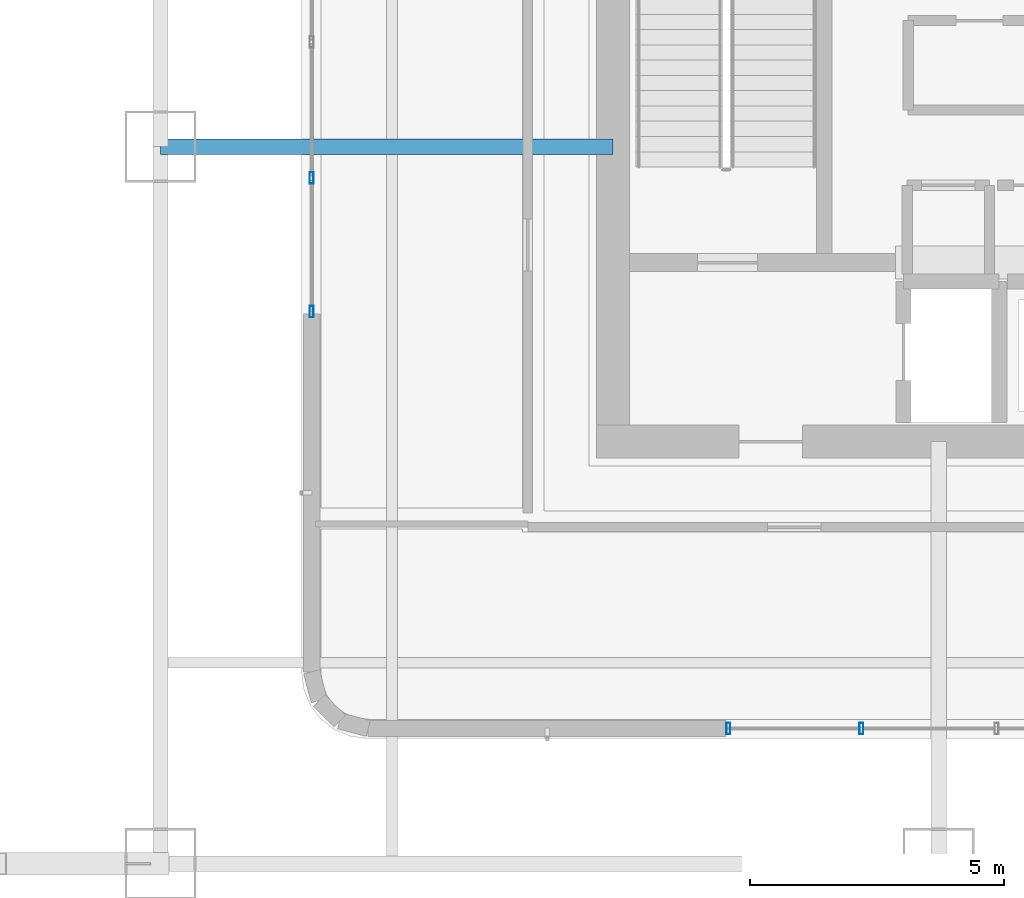
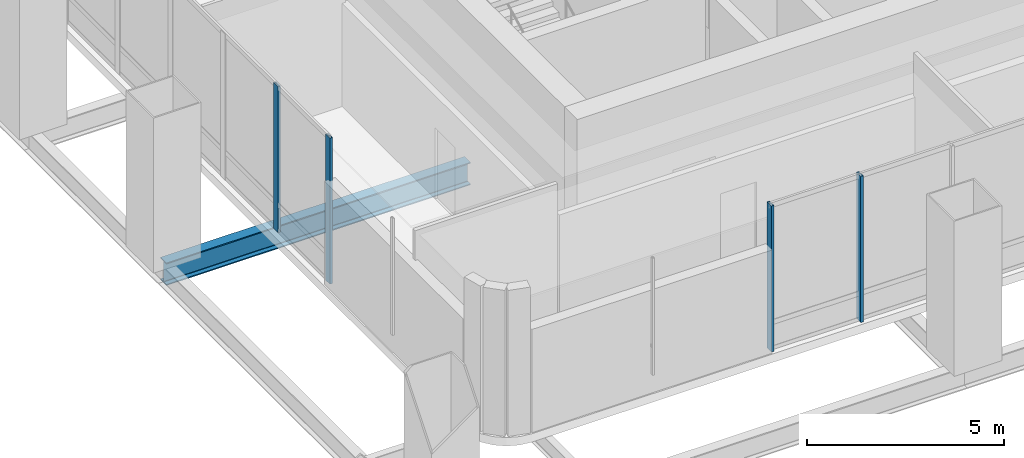
# One storey, part 2 of 30: 4 members, 1 beam, 2 elements without a shape of their own.
"""IFC4 building model written with IfcOpenShell, lengths in metres."""

from ifc_helpers import new_model, si_unit, direction, frame, origin, origin_2d, place, context, subcontext, project, spatial, hollow_rectangle, i_section, extrude, material, material_profile, profile_set, type_object, element, aggregate, save


model = new_model("IFC4")

# Units and contexts
model_context = context("Model", 3, precision=1e-05, world=origin(), true_north=direction((0.0, 1.0)))
body_context = subcontext(model_context, "Body", "Model", "MODEL_VIEW")
ifc_project = project(units=[si_unit("LENGTHUNIT", "METRE"), si_unit("AREAUNIT", "SQUARE_METRE"), si_unit("VOLUMEUNIT", "CUBIC_METRE"), si_unit("PLANEANGLEUNIT", "RADIAN"), si_unit("MASSUNIT", "GRAM", prefix="KILO")], contexts=[model_context])

# Site, building, storey
site_placement = place(None, origin())
site = spatial("IfcSite", under=ifc_project, at=site_placement, CompositionType="ELEMENT")
building_placement = place(site_placement, origin())
building = spatial("IfcBuilding", under=site, at=building_placement, Name="Punatoya Terracotta Tower", CompositionType="ELEMENT")
storey_placement = place(building_placement, frame((0.0, 0.0, 135.0)))
storey = spatial("IfcBuildingStorey", under=building, at=storey_placement, Name="L31", CompositionType="ELEMENT", Elevation=135.0)

# Beam
ifc_material_1 = material(Name="Steel S355", Category="steel")
ifc_material_profile_1 = material_profile(ifc_material_1, i_section(OverallWidth=0.300048828125, OverallDepth=0.699951171875, WebThickness=0.01708984375, FlangeThickness=0.031982421875, FilletRadius=0.01806640625, at=origin_2d()))
ifc_profile_set_1 = profile_set([ifc_material_profile_1], Name="Steel S355")
beam_type = type_object("IfcBeamType", Name="BM-PRI-700", PredefinedType="BEAM", material=ifc_profile_set_1)
beam_placement = place(storey_placement, frame((-19.10009765625, -3.39990234375, -0.610107421875), z_axis=(1.0, 0.0, 0.0), x_axis=(0.0, 1.0, 0.0)))
element("IfcBeam", 1, at=beam_placement, inside=storey, type_object=beam_type, Name="BM-L31-PR-WD", PredefinedType="BEAM", context=body_context, shape_type="SweptSolid", body=[
    extrude(i_section(OverallWidth=0.300048828125, OverallDepth=0.699951171875, WebThickness=0.01708984375, FlangeThickness=0.031982421875, FilletRadius=0.01806640625, at=origin_2d()), origin(), (0.0, 0.0, 1.0), 8.900146484375),
])

# Curtain wall, members
ifc_material_2 = material(Name="Aluminium 6063-T6 + Double Low-E Glass", Category="aluminium")
curtain_wall_type = type_object("IfcCurtainWallType", Name="CW-NCK", PredefinedType="NOTDEFINED", material=ifc_material_2)
curtain_wall_1_placement = place(storey_placement, origin())
curtain_wall_1 = element("IfcCurtainWall", 2, at=curtain_wall_1_placement, inside=storey, type_object=curtain_wall_type, Name="L31 Curtain Wall CW-L31-S01-1", PredefinedType="NOTDEFINED")
ifc_material_3 = material(Name="Aluminium 6063-T6", Category="aluminium")
ifc_material_profile_2 = material_profile(ifc_material_3, hollow_rectangle(XDim=0.080078125, YDim=0.22509765625, WallThickness=0.0048828125, at=origin_2d()))
ifc_profile_set_2 = profile_set([ifc_material_profile_2], Name="Aluminium 6063-T6")
member_type = type_object("IfcMemberType", Name="CW-MUL-NCK", PredefinedType="MULLION", material=ifc_profile_set_2)
member_1_placement = place(storey_placement, frame((-7.93505859375, -14.840087890625, 0.0), z_axis=(0.0, 0.0, 1.0), x_axis=(1.0, 0.0, 0.0)))
member_1 = element("IfcMember", 3, at=member_1_placement, type_object=member_type, Name="CW-L31-S01-1 Mullion 00", PredefinedType="MULLION", context=body_context, shape_type="SweptSolid", body=[
    extrude(hollow_rectangle(XDim=0.080078125, YDim=0.22509765625, WallThickness=0.0048828125, at=origin_2d()), origin(), (0.0, 0.0, 1.0), 4.52001953125),
])
member_2_placement = place(storey_placement, frame((-5.320068359375, -14.840087890625, 0.0), z_axis=(0.0, 0.0, 1.0), x_axis=(1.0, 0.0, 0.0)))
member_2 = element("IfcMember", 4, at=member_2_placement, type_object=member_type, Name="CW-L31-S01-1 Mullion 01", PredefinedType="MULLION", context=body_context, shape_type="SweptSolid", body=[
    extrude(hollow_rectangle(XDim=0.080078125, YDim=0.22509765625, WallThickness=0.0048828125, at=origin_2d()), origin(), (0.0, 0.0, 1.0), 4.52001953125),
])
aggregate(curtain_wall_1, [member_1, member_2])

curtain_wall_2_placement = place(storey_placement, origin())
curtain_wall_2 = element("IfcCurtainWall", 5, at=curtain_wall_2_placement, inside=storey, type_object=curtain_wall_type, Name="L31 Curtain Wall CW-L31-W13-1", PredefinedType="NOTDEFINED")
member_3_placement = place(storey_placement, frame((-16.1298828125, -4.013916015625, 0.0), z_axis=(0.0, 0.0, 1.0), x_axis=(1.0, 0.0, 0.0)))
member_3 = element("IfcMember", 6, at=member_3_placement, type_object=member_type, Name="CW-L31-W13-1 Mullion 04", PredefinedType="MULLION", context=body_context, shape_type="SweptSolid", body=[
    extrude(hollow_rectangle(XDim=0.080078125, YDim=0.22509765625, WallThickness=0.0048828125, at=origin_2d()), origin(), (0.0, 0.0, 1.0), 4.52001953125),
])
member_4_placement = place(storey_placement, frame((-16.1298828125, -6.64501953125, 0.0), z_axis=(0.0, 0.0, 1.0), x_axis=(1.0, 0.0, 0.0)))
member_4 = element("IfcMember", 7, at=member_4_placement, type_object=member_type, Name="CW-L31-W13-1 Mullion 05", PredefinedType="MULLION", context=body_context, shape_type="SweptSolid", body=[
    extrude(hollow_rectangle(XDim=0.080078125, YDim=0.22509765625, WallThickness=0.0048828125, at=origin_2d()), origin(), (0.0, 0.0, 1.0), 4.52001953125),
])
aggregate(curtain_wall_2, [member_3, member_4])

save(model, "model.ifc")
